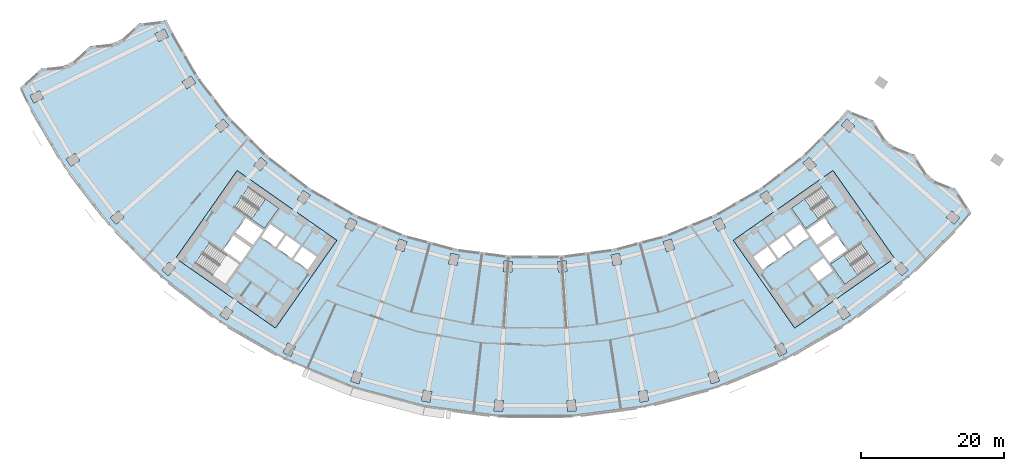
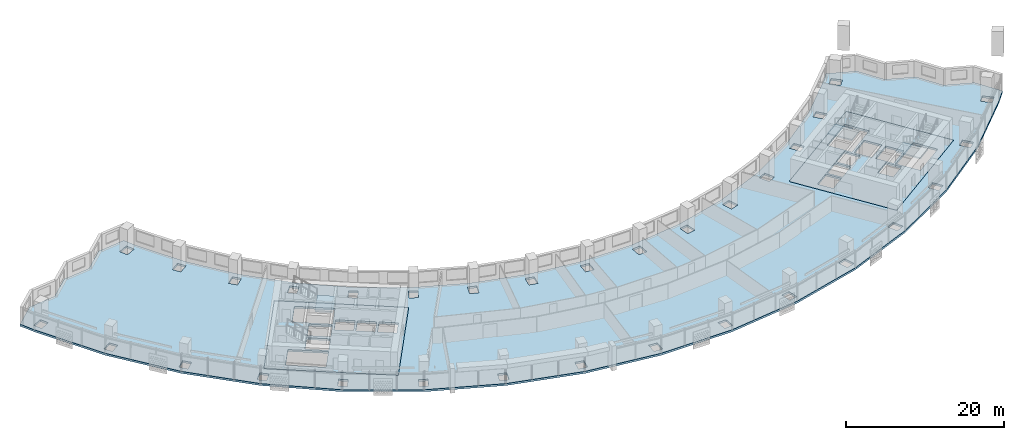
# One storey, part 2 of 29: 6 slabs, 3 elements without a shape of their own.
"""IFC4 building model written with IfcOpenShell, lengths in metres."""

from ifc_helpers import new_model, si_unit, direction, frame, origin, place, context, subcontext, project, spatial, polyline, outline, extrude, material, layer, layer_set, type_object, element, aggregate, save


model = new_model("IFC4")

# Units and contexts
model_context = context("Model", 3, precision=1e-05, world=origin(), true_north=direction((0.0, 1.0)))
body_context = subcontext(model_context, "Body", "Model", "MODEL_VIEW")
ifc_project = project(units=[si_unit("LENGTHUNIT", "METRE"), si_unit("AREAUNIT", "SQUARE_METRE"), si_unit("VOLUMEUNIT", "CUBIC_METRE"), si_unit("PLANEANGLEUNIT", "RADIAN"), si_unit("MASSUNIT", "GRAM", prefix="KILO")], contexts=[model_context])

# Site, building, storey
site_placement = place(None, origin())
site = spatial("IfcSite", under=ifc_project, at=site_placement, CompositionType="ELEMENT")
building_placement = place(site_placement, origin())
building = spatial("IfcBuilding", under=site, at=building_placement, Name="Qamariyya Broadcast Tower", CompositionType="ELEMENT")
storey_placement = place(building_placement, frame((0.0, 0.0, 106.300048828125)))
storey = spatial("IfcBuildingStorey", under=building, at=storey_placement, Name="L23", CompositionType="ELEMENT", Elevation=106.300048828125)

# Slabs
ifc_material_1 = material(Name="Concrete C40/50", Category="concrete")
ifc_layer_1 = layer(ifc_material_1, 0.300048828125)
ifc_layer_set_1 = layer_set([ifc_layer_1], Name="Core floor slab 300 mm Concrete C40/50")
slab_type_1 = type_object("IfcSlabType", Name="Core floor slab 300 mm Concrete C40/50", PredefinedType="FLOOR", material=ifc_layer_set_1)
slab_1_placement = place(storey_placement, frame((0.0, 0.0, -0.300048828125)))
element("IfcSlab", 1, at=slab_1_placement, inside=storey, type_object=slab_type_1, Name="k-W-L23-slab", PredefinedType="FLOOR", context=body_context, shape_type="SweptSolid", body=[
    extrude(outline(polyline([(-50.286376953125, -56.95751953125), (-36.32373046875, -66.734375), (-27.719970703125, -54.447021484375), (-41.6826171875, -44.67041015625), (-50.286376953125, -56.95751953125)]), holes=[polyline([(-31.80859375, -58.542724609375), (-33.8154296875, -57.137451171875), (-32.5537109375, -55.335205078125), (-30.546630859375, -56.740478515625), (-31.80859375, -58.542724609375)]), polyline([(-34.061279296875, -56.96533203125), (-36.068115234375, -55.56005859375), (-34.806396484375, -53.758056640625), (-32.79931640625, -55.163330078125), (-34.061279296875, -56.96533203125)]), polyline([(-36.31396484375, -55.387939453125), (-38.32080078125, -53.982666015625), (-37.058837890625, -52.1806640625), (-35.052001953125, -53.5859375), (-36.31396484375, -55.387939453125)]), polyline([(-39.742431640625, -55.489990234375), (-42.199951171875, -53.769287109375), (-43.6337890625, -55.817138671875), (-41.17626953125, -57.537841796875), (-39.742431640625, -55.489990234375)]), polyline([(-39.45556640625, -55.080322265625), (-41.9130859375, -53.359619140625), (-40.47900390625, -51.311767578125), (-38.021728515625, -53.032470703125), (-39.45556640625, -55.080322265625)]), polyline([(-42.06103515625, -49.837890625), (-37.849609375, -52.78662109375), (-35.870849609375, -49.960693359375), (-40.082275390625, -47.01171875), (-42.06103515625, -49.837890625)]), polyline([(-47.538818359375, -57.66064453125), (-43.3271484375, -60.609619140625), (-41.348388671875, -57.783447265625), (-45.559814453125, -54.834716796875), (-47.538818359375, -57.66064453125)])]), origin(), (0.0, 0.0, 1.0), 0.300048828125),
])
slab_2_placement = place(storey_placement, frame((0.0, 0.0, -0.300048828125)))
element("IfcSlab", 2, at=slab_2_placement, inside=storey, type_object=slab_type_1, Name="k-E-L23-slab", PredefinedType="FLOOR", context=body_context, shape_type="SweptSolid", body=[
    extrude(outline(polyline([(36.32373046875, -66.734375), (50.286376953125, -56.95751953125), (41.6826171875, -44.67041015625), (27.719970703125, -54.447021484375), (36.32373046875, -66.734375)]), holes=[polyline([(31.80859375, -58.542724609375), (33.8154296875, -57.137451171875), (32.5537109375, -55.335205078125), (30.546630859375, -56.740478515625), (31.80859375, -58.542724609375)]), polyline([(34.061279296875, -56.96533203125), (36.068115234375, -55.56005859375), (34.806396484375, -53.758056640625), (32.79931640625, -55.163330078125), (34.061279296875, -56.96533203125)]), polyline([(36.31396484375, -55.387939453125), (38.32080078125, -53.982666015625), (37.058837890625, -52.1806640625), (35.052001953125, -53.5859375), (36.31396484375, -55.387939453125)]), polyline([(38.378662109375, -58.3369140625), (40.3857421875, -56.931640625), (41.6474609375, -58.73388671875), (39.640625, -60.13916015625), (38.378662109375, -58.3369140625)]), polyline([(39.742431640625, -55.489990234375), (42.199951171875, -53.769287109375), (43.6337890625, -55.817138671875), (41.17626953125, -57.537841796875), (39.742431640625, -55.489990234375)]), polyline([(39.45556640625, -55.080322265625), (41.9130859375, -53.359619140625), (40.47900390625, -51.311767578125), (38.021728515625, -53.032470703125), (39.45556640625, -55.080322265625)]), polyline([(40.082275390625, -47.01171875), (35.870849609375, -49.960693359375), (37.849609375, -52.78662109375), (42.06103515625, -49.837890625), (40.082275390625, -47.01171875)]), polyline([(45.559814453125, -54.834716796875), (41.348388671875, -57.783447265625), (43.3271484375, -60.609619140625), (47.538818359375, -57.66064453125), (45.559814453125, -54.834716796875)])]), origin(), (0.0, 0.0, 1.0), 0.300048828125),
])
ifc_layer_2 = layer(ifc_material_1, 0.300048828125)
ifc_layer_set_2 = layer_set([ifc_layer_2], Name="Post-tensioned floor slab 300 C40/50")
slab_type_2 = type_object("IfcSlabType", Name="Post-tensioned floor slab 300 C40/50", PredefinedType="FLOOR", material=ifc_layer_set_2)
slab_3_placement = place(storey_placement, frame((0.0, 0.0, -0.300048828125)))
element("IfcSlab", 3, at=slab_3_placement, inside=storey, type_object=slab_type_2, Name="Floor slab S4 L23", PredefinedType="FLOOR", context=body_context, shape_type="SweptSolid", body=[
    extrude(outline(polyline([(-69.130859375, -30.43359375), (-72.0615234375, -33.10009765625), (-71.1220703125, -35.073486328125), (-65.935546875, -44.056640625), (-59.620849609375, -52.2861328125), (-52.2861328125, -59.620849609375), (-44.056640625, -65.935546875), (-35.073486328125, -71.1220703125), (-25.490234375, -75.091552734375), (-15.470703125, -77.7763671875), (-5.1865234375, -79.130126953125), (5.1865234375, -79.130126953125), (15.470703125, -77.7763671875), (25.490234375, -75.091552734375), (35.073486328125, -71.1220703125), (44.056640625, -65.935546875), (52.2861328125, -59.620849609375), (59.620849609375, -52.2861328125), (61.0390625, -50.623291015625), (58.8984375, -47.2890625), (55.240478515625, -45.814208984375), (53.09912109375, -42.479248046875), (49.44189453125, -41.005126953125), (47.299560546875, -37.669189453125), (43.643310546875, -36.196044921875), (42.62939453125, -37.385009765625), (37.385009765625, -42.62939453125), (31.500732421875, -47.144287109375), (25.077880859375, -50.852783203125), (18.2255859375, -53.69091796875), (11.0615234375, -55.610595703125), (3.708251953125, -56.57861328125), (-3.708251953125, -56.57861328125), (-11.0615234375, -55.610595703125), (-18.2255859375, -53.69091796875), (-25.077880859375, -50.852783203125), (-31.500732421875, -47.144287109375), (-37.385009765625, -42.62939453125), (-42.62939453125, -37.385009765625), (-47.144287109375, -31.500732421875), (-50.852783203125, -25.077880859375), (-51.5244140625, -23.666748046875), (-55.437255859375, -24.143798828125), (-58.3701171875, -26.811279296875), (-62.2841796875, -27.28857421875), (-65.2158203125, -29.955810546875), (-69.130859375, -30.43359375)]), holes=[polyline([(-5.73291015625, -78.292724609375), (-5.634765625, -76.7958984375), (-4.437255859375, -76.874267578125), (-4.535400390625, -78.37109375), (-5.73291015625, -78.292724609375)]), polyline([(-15.903076171875, -76.87451171875), (-15.6103515625, -75.4033203125), (-14.43359375, -75.637451171875), (-14.72607421875, -77.108642578125), (-15.903076171875, -76.87451171875)]), polyline([(-25.80126953125, -74.14111328125), (-25.319091796875, -72.720703125), (-24.1826171875, -73.1064453125), (-24.664794921875, -74.52685546875), (-25.80126953125, -74.14111328125)]), polyline([(-35.2578125, -70.13916015625), (-34.59423828125, -68.7939453125), (-33.51806640625, -69.324462890625), (-34.181640625, -70.669921875), (-35.2578125, -70.13916015625)]), polyline([(-44.111083984375, -64.93701171875), (-43.27783203125, -63.689697265625), (-42.280029296875, -64.3564453125), (-43.11328125, -65.603759765625), (-44.111083984375, -64.93701171875)]), polyline([(-52.209716796875, -58.623779296875), (-51.220703125, -57.49609375), (-50.318603515625, -58.287353515625), (-51.3076171875, -59.4150390625), (-52.209716796875, -58.623779296875)]), polyline([(-12.098876953125, -57.749267578125), (-11.80615234375, -56.278076171875), (-10.629150390625, -56.51220703125), (-10.921875, -57.9833984375), (-12.098876953125, -57.749267578125)]), polyline([(-41.6826171875, -44.67041015625), (-27.719970703125, -54.447021484375), (-36.32373046875, -66.734375), (-50.286376953125, -56.95751953125), (-41.6826171875, -44.67041015625)]), polyline([(-19.051025390625, -54.255615234375), (-17.91455078125, -54.641357421875), (-18.396728515625, -56.061767578125), (-19.533203125, -55.676025390625), (-19.051025390625, -54.255615234375)]), polyline([(-26.633056640625, -52.650146484375), (-25.9697265625, -51.3046875), (-24.8935546875, -51.83544921875), (-25.556884765625, -53.180908203125), (-26.633056640625, -52.650146484375)]), polyline([(-59.4150390625, -51.3076171875), (-58.287353515625, -50.318603515625), (-57.49609375, -51.220703125), (-58.623779296875, -52.209716796875), (-59.4150390625, -51.3076171875)]), polyline([(-33.277587890625, -48.723388671875), (-32.444091796875, -47.47607421875), (-31.4462890625, -48.142822265625), (-32.27978515625, -49.39013671875), (-33.277587890625, -48.723388671875)]), polyline([(-39.3525390625, -43.962890625), (-38.363525390625, -42.835205078125), (-37.461181640625, -43.62646484375), (-38.4501953125, -44.754150390625), (-39.3525390625, -43.962890625)]), polyline([(-65.603759765625, -43.11328125), (-64.3564453125, -42.280029296875), (-63.689697265625, -43.27783203125), (-64.93701171875, -44.111083984375), (-65.603759765625, -43.11328125)]), polyline([(-44.754150390625, -38.4501953125), (-43.62646484375, -37.461181640625), (-42.835205078125, -38.363525390625), (-43.962890625, -39.3525390625), (-44.754150390625, -38.4501953125)]), polyline([(-70.669921875, -34.181640625), (-69.324462890625, -33.51806640625), (-68.7939453125, -34.59423828125), (-70.13916015625, -35.2578125), (-70.669921875, -34.181640625)]), polyline([(-48.142822265625, -31.4462890625), (-47.47607421875, -32.444091796875), (-48.723388671875, -33.277587890625), (-49.39013671875, -32.27978515625), (-48.142822265625, -31.4462890625)]), polyline([(-51.83544921875, -24.8935546875), (-51.3046875, -25.9697265625), (-52.650146484375, -26.633056640625), (-53.180908203125, -25.556884765625), (-51.83544921875, -24.8935546875)]), polyline([(4.535400390625, -78.37109375), (4.437255859375, -76.874267578125), (5.634765625, -76.7958984375), (5.73291015625, -78.292724609375), (4.535400390625, -78.37109375)]), polyline([(14.72607421875, -77.108642578125), (14.43359375, -75.637451171875), (15.6103515625, -75.4033203125), (15.903076171875, -76.87451171875), (14.72607421875, -77.108642578125)]), polyline([(24.664794921875, -74.52685546875), (24.1826171875, -73.1064453125), (25.319091796875, -72.720703125), (25.80126953125, -74.14111328125), (24.664794921875, -74.52685546875)]), polyline([(34.181640625, -70.669921875), (33.51806640625, -69.324462890625), (34.59423828125, -68.7939453125), (35.2578125, -70.13916015625), (34.181640625, -70.669921875)]), polyline([(43.11328125, -65.603759765625), (42.280029296875, -64.3564453125), (43.27783203125, -63.689697265625), (44.111083984375, -64.93701171875), (43.11328125, -65.603759765625)]), polyline([(51.3076171875, -59.4150390625), (50.318603515625, -58.287353515625), (51.220703125, -57.49609375), (52.209716796875, -58.623779296875), (51.3076171875, -59.4150390625)]), polyline([(3.260009765625, -58.912841796875), (3.161865234375, -57.416015625), (4.359375, -57.337646484375), (4.45751953125, -58.83447265625), (3.260009765625, -58.912841796875)]), polyline([(-4.359375, -57.337646484375), (-3.161865234375, -57.416015625), (-3.260009765625, -58.912841796875), (-4.45751953125, -58.83447265625), (-4.359375, -57.337646484375)]), polyline([(10.629150390625, -56.51220703125), (11.80615234375, -56.278076171875), (12.098876953125, -57.749267578125), (10.921875, -57.9833984375), (10.629150390625, -56.51220703125)]), polyline([(36.32373046875, -66.734375), (27.719970703125, -54.447021484375), (41.6826171875, -44.67041015625), (50.286376953125, -56.95751953125), (36.32373046875, -66.734375)]), polyline([(18.396728515625, -56.061767578125), (17.91455078125, -54.641357421875), (19.051025390625, -54.255615234375), (19.533203125, -55.676025390625), (18.396728515625, -56.061767578125)]), polyline([(25.556884765625, -53.180908203125), (24.8935546875, -51.83544921875), (25.9697265625, -51.3046875), (26.633056640625, -52.650146484375), (25.556884765625, -53.180908203125)]), polyline([(58.623779296875, -52.209716796875), (57.49609375, -51.220703125), (58.287353515625, -50.318603515625), (59.4150390625, -51.3076171875), (58.623779296875, -52.209716796875)]), polyline([(32.27978515625, -49.39013671875), (31.4462890625, -48.142822265625), (32.444091796875, -47.47607421875), (33.277587890625, -48.723388671875), (32.27978515625, -49.39013671875)]), polyline([(38.4501953125, -44.754150390625), (37.461181640625, -43.62646484375), (38.363525390625, -42.835205078125), (39.3525390625, -43.962890625), (38.4501953125, -44.754150390625)]), polyline([(42.835205078125, -38.363525390625), (43.62646484375, -37.461181640625), (44.754150390625, -38.4501953125), (43.962890625, -39.3525390625), (42.835205078125, -38.363525390625)])]), origin(), (0.0, 0.0, 1.0), 0.300048828125),
])

# Stair, slab
ifc_material_2 = material(Name="Concrete C50/60", Category="concrete")
stair_type = type_object("IfcStairType", Name="Exit stair 22 risers of 173 mm", PredefinedType="HALF_TURN_STAIR", material=ifc_material_2)
stair_1_placement = place(storey_placement, origin())
stair_1 = element("IfcStair", 4, at=stair_1_placement, inside=storey, type_object=stair_type, Name="L23 Stair W2", PredefinedType="HALF_TURN_STAIR")
ifc_layer_3 = layer(ifc_material_2, 0.199951171875)
ifc_layer_set_3 = layer_set([ifc_layer_3], Name="Stair landing")
slab_type_3 = type_object("IfcSlabType", Name="Stair landing", PredefinedType="LANDING", material=ifc_layer_set_3)
slab_4_placement = place(storey_placement, frame((0.0, 0.0, 1.699951171875)))
slab_4 = element("IfcSlab", 5, at=slab_4_placement, type_object=slab_type_3, Name="ST-W2 landing 1", PredefinedType="LANDING", context=body_context, shape_type="SweptSolid", body=[
    extrude(outline(polyline([(-39.692138671875, -51.49658203125), (-37.849609375, -52.78662109375), (-35.870849609375, -49.960693359375), (-37.71337890625, -48.67041015625), (-39.692138671875, -51.49658203125)])), origin(), (0.0, 0.0, 1.0), 0.199951171875),
])
aggregate(stair_1, [slab_4])

stair_2_placement = place(storey_placement, origin())
stair_2 = element("IfcStair", 6, at=stair_2_placement, inside=storey, type_object=stair_type, Name="L23 Stair E2", PredefinedType="HALF_TURN_STAIR")
slab_5_placement = place(storey_placement, frame((0.0, 0.0, 1.699951171875)))
slab_5 = element("IfcSlab", 7, at=slab_5_placement, type_object=slab_type_3, Name="ST-E2 landing 1", PredefinedType="LANDING", context=body_context, shape_type="SweptSolid", body=[
    extrude(outline(polyline([(37.71337890625, -48.67041015625), (35.870849609375, -49.960693359375), (37.849609375, -52.78662109375), (39.692138671875, -51.49658203125), (37.71337890625, -48.67041015625)])), origin(), (0.0, 0.0, 1.0), 0.199951171875),
])
aggregate(stair_2, [slab_5])

stair_3_placement = place(storey_placement, origin())
stair_3 = element("IfcStair", 8, at=stair_3_placement, inside=storey, type_object=stair_type, Name="L23 Stair E1", PredefinedType="HALF_TURN_STAIR")
slab_6_placement = place(storey_placement, frame((0.0, 0.0, 1.699951171875)))
slab_6 = element("IfcSlab", 9, at=slab_6_placement, type_object=slab_type_3, Name="ST-E1 landing 1", PredefinedType="LANDING", context=body_context, shape_type="SweptSolid", body=[
    extrude(outline(polyline([(43.19091796875, -56.493408203125), (41.348388671875, -57.783447265625), (43.3271484375, -60.609619140625), (45.169677734375, -59.319580078125), (43.19091796875, -56.493408203125)])), origin(), (0.0, 0.0, 1.0), 0.199951171875),
])
aggregate(stair_3, [slab_6])

save(model, "model.ifc")
